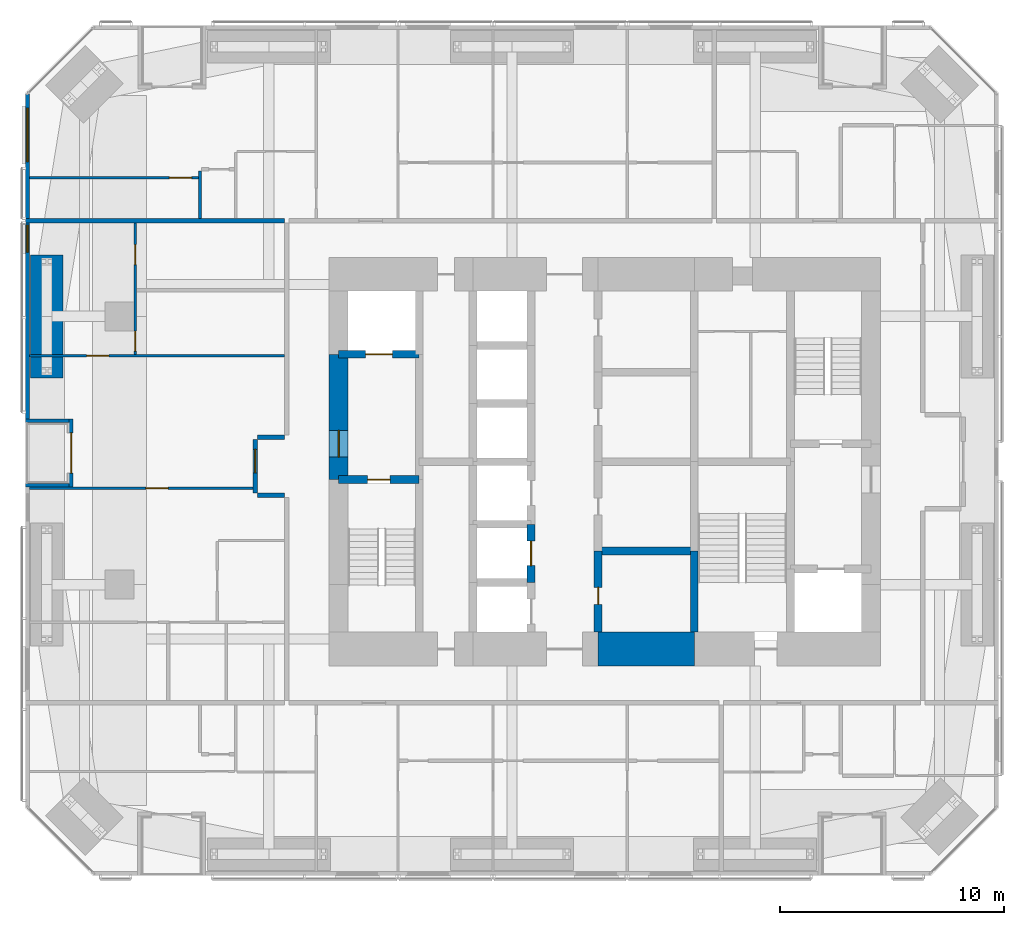
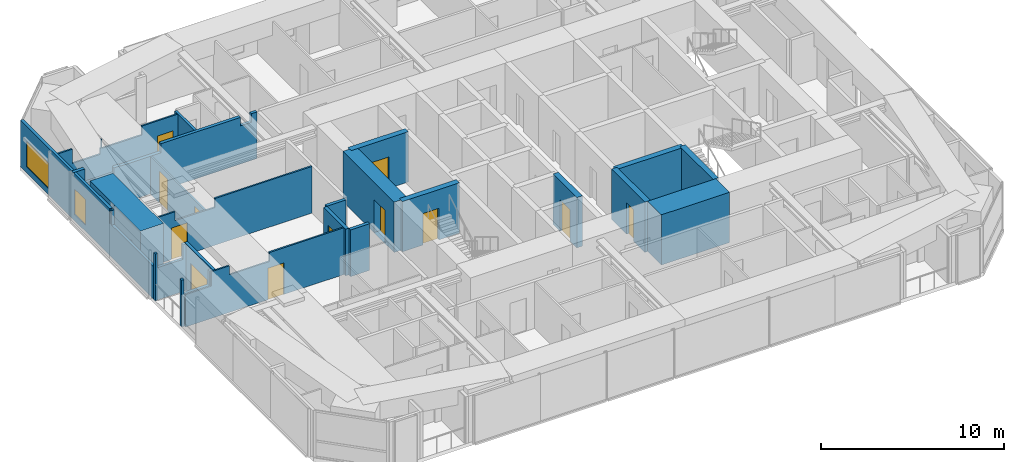
# One storey, part 18 of 23: 22 walls, 12 doors, 2 windows, 14 openings.
"""IFC4 building model written with IfcOpenShell, lengths in metres."""

from ifc_helpers import new_model, si_unit, direction, frame, frame_2d, origin, place, context, subcontext, project, spatial, polyline, rectangle, outline, extrude, material, layer, layer_set, constituent, constituent_set, type_object, element, fill, save


model = new_model("IFC4")

# Units and contexts
model_context = context("Model", 3, precision=1e-05, world=origin(), true_north=direction((0.0, 1.0)))
body_context = subcontext(model_context, "Body", "Model", "MODEL_VIEW")
ifc_project = project(units=[si_unit("LENGTHUNIT", "METRE"), si_unit("AREAUNIT", "SQUARE_METRE"), si_unit("VOLUMEUNIT", "CUBIC_METRE"), si_unit("PLANEANGLEUNIT", "RADIAN"), si_unit("MASSUNIT", "GRAM", prefix="KILO")], contexts=[model_context])

# Site, building, storey
site_placement = place(None, origin())
site = spatial("IfcSite", under=ifc_project, at=site_placement, CompositionType="ELEMENT")
building_placement = place(site_placement, origin())
building = spatial("IfcBuilding", under=site, at=building_placement, Name="Jalousie Tower", CompositionType="ELEMENT")
storey_placement = place(building_placement, frame((0.0, 0.0, 121.60009765625)))
storey = spatial("IfcBuildingStorey", under=building, at=storey_placement, Name="L33", CompositionType="ELEMENT", Elevation=121.60009765625)

# Walls
ifc_material_1 = material(Name="Concrete block ASTM C90", Category="concrete")
ifc_constituent_1 = constituent(ifc_material_1, Name="Body")
ifc_material_2 = material(Name="Render")
ifc_constituent_2 = constituent(ifc_material_2, Name="Finish")
ifc_constituent_set_1 = constituent_set(constituents=[ifc_constituent_1, ifc_constituent_2])
wall_type_1 = type_object("IfcWallType", Name="BATHROOM WALL 150", PredefinedType="PLUMBINGWALL", material=ifc_constituent_set_1)
wall_1_placement = place(storey_placement, frame((13.800048828125, 31.5, 0.0), z_axis=(0.0, 0.0, 1.0), x_axis=(0.0, -1.0, 0.0)))
element("IfcWall", 1, at=wall_1_placement, inside=storey, type_object=wall_type_1, Name="Bathroom Wall 150 L33", PredefinedType="PLUMBINGWALL", context=body_context, shape_type="SweptSolid", body=[
    extrude(rectangle(XDim=2.125, YDim=0.14990234375, at=frame_2d((1.0625, 0.0))), origin(), (0.0, 0.0, 1.0), 3.10986328125),
])
ifc_material_3 = material(Name="Concrete f'c 120 MPa", Category="concrete")
ifc_layer_1 = layer(ifc_material_3, 1.5)
ifc_layer_set_1 = layer_set([ifc_layer_1], Name="Concrete f'c 120 MPa")
wall_type_2 = type_object("IfcWallType", Name="CORE WALL 1500", PredefinedType="SHEAR", material=ifc_layer_set_1)
wall_2_placement = place(storey_placement, frame((31.60009765625, 10.125, 0.0), z_axis=(0.0, 0.0, 1.0), x_axis=(1.0, 0.0, 0.0)))
element("IfcWall", 2, at=wall_2_placement, inside=storey, type_object=wall_type_2, Name="Core wall SC L33", PredefinedType="SHEAR", context=body_context, shape_type="SweptSolid", body=[
    extrude(rectangle(XDim=4.2998046875, YDim=1.5, at=frame_2d((2.14990234375, 0.0))), origin(), (0.0, 0.0, 1.0), 3.349853515625),
])

# Wall, opening, door
ifc_material_4 = material(Name="Concrete f'c 120 MPa", Category="concrete")
ifc_layer_2 = layer(ifc_material_4, 0.35009765625)
ifc_layer_set_2 = layer_set([ifc_layer_2], Name="Concrete f'c 120 MPa")
wall_type_3 = type_object("IfcWallType", Name="CORE WALL 350", PredefinedType="SHEAR", material=ifc_layer_set_2)
wall_3_placement = place(storey_placement, frame((28.60009765625, 13.10009765625, 0.0), z_axis=(0.0, 0.0, 1.0), x_axis=(0.0, 1.0, 0.0)))
wall_3 = element("IfcWall", 3, at=wall_3_placement, inside=storey, type_object=wall_type_3, Name="Core wall X28.6B L33", PredefinedType="SHEAR", context=body_context, shape_type="SweptSolid", body=[
    extrude(rectangle(XDim=2.599853515625, YDim=0.35009765625, at=frame_2d((1.2998046875, 0.0))), origin(), (0.0, 0.0, 1.0), 3.349853515625),
])
opening_1_placement = place(wall_3_placement, frame((0.75, 0.0, 0.0)))
opening_1 = element("IfcOpeningElement", 4, at=opening_1_placement, cuts=wall_3, Name="Opening LD1", PredefinedType="OPENING", context=body_context, shape_type="SweptSolid", body=[
    extrude(rectangle(XDim=1.10009765625, YDim=2.10009765625, at=frame_2d((0.550048828125, 1.050048828125))), frame((0.0, 0.18505859375, 0.0), z_axis=(0.0, -1.0, 0.0), x_axis=(1.0, 0.0, 0.0)), (0.0, 0.0, 1.0), 0.3701171875),
])
ifc_material_5 = material(Name="Steel lift landing door", Category="steel")
door_type_1 = type_object("IfcDoorType", Name="LIFT LANDING DOOR 1100", OperationType="SLIDING_TO_LEFT", PredefinedType="DOOR", material=ifc_material_5)
door_1_placement = place(opening_1_placement, origin())
door_1 = element("IfcDoor", 5, at=door_1_placement, inside=storey, type_object=door_type_1, Name="Lift P2 landing door", OperationType="SLIDING_TO_LEFT", OverallHeight=2.10009765625, OverallWidth=1.10009765625, PredefinedType="DOOR", context=body_context, shape_type="SweptSolid", body=[
    extrude(rectangle(XDim=1.10009765625, YDim=2.10009765625, at=frame_2d((0.550048828125, 1.050048828125))), frame((0.0, 0.02490234375, 0.0), z_axis=(0.0, -1.0, 0.0), x_axis=(1.0, 0.0, 0.0)), (0.0, 0.0, 1.0), 0.050048828125),
])
fill(opening_1, door_1)

wall_4_placement = place(storey_placement, frame((31.60009765625, 10.875, 0.0), z_axis=(0.0, 0.0, 1.0), x_axis=(0.0, 1.0, 0.0)))
wall_4 = element("IfcWall", 6, at=wall_4_placement, inside=storey, type_object=wall_type_3, Name="Core wall X31.6A L33", PredefinedType="SHEAR", context=body_context, shape_type="SweptSolid", body=[
    extrude(rectangle(XDim=3.625, YDim=0.35009765625, at=frame_2d((1.8125, 0.0))), origin(), (0.0, 0.0, 1.0), 3.349853515625),
])
opening_2_placement = place(wall_4_placement, frame((1.25, 0.0, 0.0)))
opening_2 = element("IfcOpeningElement", 7, at=opening_2_placement, cuts=wall_4, Name="Opening D16", PredefinedType="OPENING", context=body_context, shape_type="SweptSolid", body=[
    extrude(rectangle(XDim=0.75, YDim=2.10009765625, at=frame_2d((0.375, 1.050048828125))), frame((0.0, 0.18505859375, 0.0), z_axis=(0.0, -1.0, 0.0), x_axis=(1.0, 0.0, 0.0)), (0.0, 0.0, 1.0), 0.3701171875),
])
ifc_material_6 = material(Name="Steel fire door", Category="steel")
door_type_2 = type_object("IfcDoorType", Name="RISER DOOR 750", OperationType="SINGLE_SWING_LEFT", PredefinedType="DOOR", material=ifc_material_6)
door_2_placement = place(opening_2_placement, frame((0.75, 0.0, 0.0), z_axis=(0.0, 0.0, 1.0), x_axis=(-1.0, 0.0, 0.0)))
door_2 = element("IfcDoor", 8, at=door_2_placement, inside=storey, type_object=door_type_2, Name="Refuse Room door", OperationType="SINGLE_SWING_RIGHT", OverallHeight=2.10009765625, OverallWidth=0.75, PredefinedType="DOOR", context=body_context, shape_type="SweptSolid", body=[
    extrude(rectangle(XDim=0.75, YDim=2.10009765625, at=frame_2d((0.375, 1.050048828125))), frame((0.0, 0.02490234375, 0.0), z_axis=(0.0, -1.0, 0.0), x_axis=(1.0, 0.0, 0.0)), (0.0, 0.0, 1.0), 0.050048828125),
])
fill(opening_2, door_2)

# Wall
wall_5_placement = place(storey_placement, frame((35.89990234375, 10.875, 0.0), z_axis=(0.0, 0.0, 1.0), x_axis=(0.0, 1.0, 0.0)))
element("IfcWall", 9, at=wall_5_placement, inside=storey, type_object=wall_type_3, Name="Core wall X35.9A L33", PredefinedType="SHEAR", context=body_context, shape_type="SweptSolid", body=[
    extrude(rectangle(XDim=3.625, YDim=0.35009765625, at=frame_2d((1.8125, 0.0))), origin(), (0.0, 0.0, 1.0), 3.349853515625),
])

# Wall, opening, door
wall_6_placement = place(storey_placement, frame((20.0, 17.699951171875, 0.0), z_axis=(0.0, 0.0, 1.0), x_axis=(1.0, 0.0, 0.0)))
wall_6 = element("IfcWall", 10, at=wall_6_placement, inside=storey, type_object=wall_type_3, Name="Core wall Y20-17.7 L33", PredefinedType="SHEAR", context=body_context, shape_type="SweptSolid", body=[
    extrude(rectangle(XDim=3.60009765625, YDim=0.35009765625, at=frame_2d((1.800048828125, 0.0))), origin(), (0.0, 0.0, 1.0), 3.349853515625),
])
opening_3_placement = place(wall_6_placement, frame((1.300048828125, 0.0, 0.0)))
opening_3 = element("IfcOpeningElement", 11, at=opening_3_placement, cuts=wall_6, Name="Opening D10", PredefinedType="OPENING", context=body_context, shape_type="SweptSolid", body=[
    extrude(rectangle(XDim=1.0, YDim=2.10009765625, at=frame_2d((0.5, 1.050048828125))), frame((0.0, 0.18505859375, 0.0), z_axis=(0.0, -1.0, 0.0), x_axis=(1.0, 0.0, 0.0)), (0.0, 0.0, 1.0), 0.3701171875),
])
ifc_material_7 = material(Name="Steel fire door", Category="steel")
door_type_3 = type_object("IfcDoorType", Name="STAIR DOOR 1000", OperationType="SINGLE_SWING_LEFT", PredefinedType="DOOR", material=ifc_material_7)
door_3_placement = place(opening_3_placement, frame((1.0, 0.0, 0.0), z_axis=(0.0, 0.0, 1.0), x_axis=(-1.0, 0.0, 0.0)))
door_3 = element("IfcDoor", 12, at=door_3_placement, inside=storey, type_object=door_type_3, Name="Exit stair A door", OperationType="SINGLE_SWING_RIGHT", OverallHeight=2.10009765625, OverallWidth=1.0, PredefinedType="DOOR", context=body_context, shape_type="SweptSolid", body=[
    extrude(rectangle(XDim=1.0, YDim=2.10009765625, at=frame_2d((0.5, 1.050048828125))), frame((0.0, 0.02490234375, 0.0), z_axis=(0.0, -1.0, 0.0), x_axis=(1.0, 0.0, 0.0)), (0.0, 0.0, 1.0), 0.050048828125),
])
fill(opening_3, door_3)

wall_7_placement = place(storey_placement, frame((20.0, 23.300048828125, 0.0), z_axis=(0.0, 0.0, 1.0), x_axis=(1.0, 0.0, 0.0)))
wall_7 = element("IfcWall", 13, at=wall_7_placement, inside=storey, type_object=wall_type_3, Name="Core wall Y20-23.3 L33", PredefinedType="SHEAR", context=body_context, shape_type="SweptSolid", body=[
    extrude(rectangle(XDim=3.60009765625, YDim=0.35009765625, at=frame_2d((1.800048828125, 0.0))), origin(), (0.0, 0.0, 1.0), 3.349853515625),
])
opening_4_placement = place(wall_7_placement, frame((1.199951171875, 0.0, 0.0)))
opening_4 = element("IfcOpeningElement", 14, at=opening_4_placement, cuts=wall_7, Name="Opening LD2", PredefinedType="OPENING", context=body_context, shape_type="SweptSolid", body=[
    extrude(rectangle(XDim=1.199951171875, YDim=2.10009765625, at=frame_2d((0.60009765625, 1.050048828125))), frame((0.0, 0.18505859375, 0.0), z_axis=(0.0, -1.0, 0.0), x_axis=(1.0, 0.0, 0.0)), (0.0, 0.0, 1.0), 0.3701171875),
])
ifc_material_8 = material(Name="Steel lift landing door", Category="steel")
door_type_4 = type_object("IfcDoorType", Name="LIFT LANDING DOOR 1200", OperationType="SLIDING_TO_LEFT", PredefinedType="DOOR", material=ifc_material_8)
door_4_placement = place(opening_4_placement, origin())
door_4 = element("IfcDoor", 15, at=door_4_placement, inside=storey, type_object=door_type_4, Name="Lift F1 landing door", OperationType="SLIDING_TO_LEFT", OverallHeight=2.10009765625, OverallWidth=1.199951171875, PredefinedType="DOOR", context=body_context, shape_type="SweptSolid", body=[
    extrude(rectangle(XDim=1.199951171875, YDim=2.10009765625, at=frame_2d((0.60009765625, 1.050048828125))), frame((0.0, 0.02490234375, 0.0), z_axis=(0.0, -1.0, 0.0), x_axis=(1.0, 0.0, 0.0)), (0.0, 0.0, 1.0), 0.050048828125),
])
fill(opening_4, door_4)

# Wall
wall_8_placement = place(storey_placement, frame((31.60009765625, 14.5, 0.0), z_axis=(0.0, 0.0, 1.0), x_axis=(1.0, 0.0, 0.0)))
element("IfcWall", 16, at=wall_8_placement, inside=storey, type_object=wall_type_3, Name="Core wall Y31.6-14.5 L33", PredefinedType="SHEAR", context=body_context, shape_type="SweptSolid", body=[
    extrude(rectangle(XDim=4.2998046875, YDim=0.35009765625, at=frame_2d((2.14990234375, 0.0))), origin(), (0.0, 0.0, 1.0), 3.349853515625),
])

# Wall, opening, door
ifc_material_9 = material(Name="Concrete f'c 120 MPa", Category="concrete")
ifc_layer_3 = layer(ifc_material_9, 0.85009765625)
ifc_layer_set_3 = layer_set([ifc_layer_3], Name="Concrete f'c 120 MPa")
wall_type_4 = type_object("IfcWallType", Name="CORE WALL 850", PredefinedType="SHEAR", material=ifc_layer_set_3)
wall_9_placement = place(storey_placement, frame((20.0, 23.300048828125, 0.0), z_axis=(0.0, 0.0, 1.0), x_axis=(0.0, -1.0, 0.0)))
wall_9 = element("IfcWall", 17, at=wall_9_placement, inside=storey, type_object=wall_type_4, Name="Core wall WB L33", PredefinedType="SHEAR", context=body_context, shape_type="SweptSolid", body=[
    extrude(rectangle(XDim=5.60009765625, YDim=0.85009765625, at=frame_2d((2.800048828125, 0.0))), origin(), (0.0, 0.0, 1.0), 3.349853515625),
])
opening_5_placement = place(wall_9_placement, frame((3.39990234375, 0.0, 0.0)))
opening_5 = element("IfcOpeningElement", 18, at=opening_5_placement, cuts=wall_9, Name="Opening D11", PredefinedType="OPENING", context=body_context, shape_type="SweptSolid", body=[
    extrude(rectangle(XDim=1.199951171875, YDim=2.199951171875, at=frame_2d((0.60009765625, 1.10009765625))), frame((0.0, 0.43505859375, 0.0), z_axis=(0.0, -1.0, 0.0), x_axis=(1.0, 0.0, 0.0)), (0.0, 0.0, 1.0), 0.8701171875),
])
ifc_material_10 = material(Name="Steel fire door", Category="steel")
door_type_5 = type_object("IfcDoorType", Name="FIRE DOOR 1200", OperationType="SINGLE_SWING_LEFT", PredefinedType="DOOR", material=ifc_material_10)
door_5_placement = place(opening_5_placement, origin())
door_5 = element("IfcDoor", 19, at=door_5_placement, inside=storey, type_object=door_type_5, Name="Fire-fighting lobby A door", OperationType="SINGLE_SWING_RIGHT", OverallHeight=2.199951171875, OverallWidth=1.199951171875, PredefinedType="DOOR", context=body_context, shape_type="SweptSolid", body=[
    extrude(rectangle(XDim=1.199951171875, YDim=2.199951171875, at=frame_2d((0.60009765625, 1.10009765625))), frame((0.0, 0.02490234375, 0.0), z_axis=(0.0, -1.0, 0.0), x_axis=(1.0, 0.0, 0.0)), (0.0, 0.0, 1.0), 0.050048828125),
])
fill(opening_5, door_5)

ifc_material_11 = material(Name="Concrete block ASTM C90", Category="concrete")
ifc_constituent_3 = constituent(ifc_material_11, Name="Body")
ifc_material_12 = material(Name="Render")
ifc_constituent_4 = constituent(ifc_material_12, Name="Finish")
ifc_constituent_set_2 = constituent_set(constituents=[ifc_constituent_3, ifc_constituent_4])
wall_type_5 = type_object("IfcWallType", Name="CORRIDOR WALL 200", PredefinedType="PARTITIONING", material=ifc_constituent_set_2)
wall_10_placement = place(storey_placement, frame((16.27490234375, 17.10009765625, 0.0), z_axis=(0.0, 0.0, 1.0), x_axis=(0.0, 1.0, 0.0)))
wall_10 = element("IfcWall", 20, at=wall_10_placement, inside=storey, type_object=wall_type_5, Name="Corridor Wall 200 L33", PredefinedType="PARTITIONING", context=body_context, shape_type="SweptSolid", body=[
    extrude(rectangle(XDim=2.39990234375, YDim=0.199951171875, at=frame_2d((1.199951171875, 0.0))), origin(), (0.0, 0.0, 1.0), 3.10986328125),
])
opening_6_placement = place(wall_10_placement, frame((0.89990234375, 0.0, 0.0)))
opening_6 = element("IfcOpeningElement", 21, at=opening_6_placement, cuts=wall_10, Name="Opening D1", PredefinedType="OPENING", context=body_context, shape_type="SweptSolid", body=[
    extrude(rectangle(XDim=1.050048828125, YDim=2.199951171875, at=frame_2d((0.52490234375, 1.10009765625))), frame((0.0, 0.10986328125, 0.0), z_axis=(0.0, -1.0, 0.0), x_axis=(1.0, 0.0, 0.0)), (0.0, 0.0, 1.0), 0.219970703125),
])
ifc_material_13 = material(Name="Timber fire door", Category="wood")
door_type_6 = type_object("IfcDoorType", Name="APARTMENT ENTRANCE DOOR 1050", OperationType="SINGLE_SWING_LEFT", PredefinedType="DOOR", material=ifc_material_13)
door_6_placement = place(opening_6_placement, origin())
door_6 = element("IfcDoor", 22, at=door_6_placement, inside=storey, type_object=door_type_6, Name="Apartment 3305 entrance", OperationType="SINGLE_SWING_LEFT", OverallHeight=2.199951171875, OverallWidth=1.050048828125, PredefinedType="DOOR", context=body_context, shape_type="SweptSolid", body=[
    extrude(rectangle(XDim=1.050048828125, YDim=2.199951171875, at=frame_2d((0.52490234375, 1.10009765625))), frame((0.0, 0.02490234375, 0.0), z_axis=(0.0, -1.0, 0.0), x_axis=(1.0, 0.0, 0.0)), (0.0, 0.0, 1.0), 0.050048828125),
])
fill(opening_6, door_6)

# Walls
for number, where, z_axis, x_axis, name in (
    (23, (17.574951171875, 17.0, 0.0), (0.0, 0.0, 1.0), (-1.0, 0.0, 0.0), "Corridor Wall 200 L33"),
    (24, (17.574951171875, 19.60009765625, 0.0), (0.0, 0.0, 1.0), (-1.0, 0.0, 0.0), "Corridor Wall 200 L33"),
):
    element("IfcWall", number, at=place(storey_placement, frame(where, z_axis=z_axis, x_axis=x_axis)), inside=storey, type_object=wall_type_5, Name=name, PredefinedType="PARTITIONING", context=body_context, shape_type="SweptSolid", body=[
        extrude(rectangle(XDim=1.199951171875, YDim=0.199951171875, at=frame_2d((0.60009765625, 0.0))), origin(), (0.0, 0.0, 1.0), 3.10986328125),
    ])

# Wall, openings, windows
ifc_material_14 = material(Name="Concrete f'c 40 MPa", Category="concrete")
ifc_constituent_5 = constituent(ifc_material_14, Name="Body")
ifc_material_15 = material(Name="Render, pastel sea green")
ifc_constituent_6 = constituent(ifc_material_15, Name="Finish")
ifc_constituent_set_3 = constituent_set(constituents=[ifc_constituent_5, ifc_constituent_6])
wall_type_6 = type_object("IfcWallType", Name="EXTERNAL WALL 175 SEA GREEN RENDER", PredefinedType="SOLIDWALL", material=ifc_constituent_set_3)
wall_11_placement = place(storey_placement, frame((6.08740234375, 34.94873046875, 0.0), z_axis=(0.0, 0.0, 1.0), x_axis=(0.0, -1.0, 0.0)))
wall_11 = element("IfcWall", 25, at=wall_11_placement, inside=storey, type_object=wall_type_6, Name="External Wall 175 Sea Green Render L33", PredefinedType="SOLIDWALL", context=body_context, shape_type="SweptSolid", body=[
    extrude(outline(polyline([(0.0, 0.0), (14.531982421875, 0.0), (14.531982421875, 2.14990234375), (9.94873046875, 2.14990234375), (9.94873046875, 3.10986328125), (9.822998046875, 3.10986328125), (9.822998046875, 2.14990234375), (9.72998046875, 2.14990234375), (9.72998046875, 3.10986328125), (0.0, 3.10986328125), (0.0, 0.0)])), frame((0.0, 0.08740234375, 0.0), z_axis=(0.0, -1.0, 0.0), x_axis=(1.0, 0.0, 0.0)), (0.0, 0.0, 1.0), 0.175048828125),
])
opening_7_placement = place(wall_11_placement, frame((0.636474609375, 0.0, 0.39990234375)))
opening_7 = element("IfcOpeningElement", 26, at=opening_7_placement, cuts=wall_11, Name="Opening W-LIV170", PredefinedType="OPENING", context=body_context, shape_type="SweptSolid", body=[
    extrude(rectangle(XDim=2.39990234375, YDim=1.699951171875, at=frame_2d((1.199951171875, 0.85009765625))), frame((0.0, 0.097412109375, 0.0), z_axis=(0.0, -1.0, 0.0), x_axis=(1.0, 0.0, 0.0)), (0.0, 0.0, 1.0), 0.195068359375),
])
opening_8_placement = place(wall_11_placement, frame((5.873779296875, 0.0, 0.39990234375)))
opening_8 = element("IfcOpeningElement", 27, at=opening_8_placement, cuts=wall_11, Name="Opening W-COR170", PredefinedType="OPENING", context=body_context, shape_type="SweptSolid", body=[
    extrude(rectangle(XDim=1.199951171875, YDim=1.699951171875, at=frame_2d((0.60009765625, 0.85009765625))), frame((0.0, 0.097412109375, 0.0), z_axis=(0.0, -1.0, 0.0), x_axis=(1.0, 0.0, 0.0)), (0.0, 0.0, 1.0), 0.195068359375),
])
ifc_material_16 = material(Name="Aluminium frame, impact-rated glazing", Category="aluminium")
window_type_1 = type_object("IfcWindowType", Name="WINDOW COR 1200x1700", PartitioningType="SINGLE_PANEL", PredefinedType="WINDOW", material=ifc_material_16)
window_1_placement = place(opening_8_placement, origin())
window_1 = element("IfcWindow", 28, at=window_1_placement, inside=storey, type_object=window_type_1, Name="Apartment 3305 bedroom 2 window", OverallHeight=1.699951171875, OverallWidth=1.199951171875, PartitioningType="SINGLE_PANEL", PredefinedType="WINDOW", context=body_context, shape_type="SweptSolid", body=[
    extrude(rectangle(XDim=1.199951171875, YDim=1.699951171875, at=frame_2d((0.60009765625, 0.85009765625))), frame((0.0, 0.030029296875, 0.0), z_axis=(0.0, -1.0, 0.0), x_axis=(1.0, 0.0, 0.0)), (0.0, 0.0, 1.0), 0.06005859375),
])
fill(opening_8, window_1)
ifc_material_17 = material(Name="Aluminium frame, impact-rated glazing", Category="aluminium")
window_type_2 = type_object("IfcWindowType", Name="WINDOW LIV 2400x1700", PartitioningType="DOUBLE_PANEL_VERTICAL", PredefinedType="WINDOW", material=ifc_material_17)
window_2_placement = place(opening_7_placement, origin())
window_2 = element("IfcWindow", 29, at=window_2_placement, inside=storey, type_object=window_type_2, Name="Apartment 3303 living and dining room window", OverallHeight=1.699951171875, OverallWidth=2.39990234375, PartitioningType="SINGLE_PANEL", PredefinedType="WINDOW", context=body_context, shape_type="SweptSolid", body=[
    extrude(rectangle(XDim=2.39990234375, YDim=1.699951171875, at=frame_2d((1.199951171875, 0.85009765625))), frame((0.0, 0.030029296875, 0.0), z_axis=(0.0, -1.0, 0.0), x_axis=(1.0, 0.0, 0.0)), (0.0, 0.0, 1.0), 0.06005859375),
])
fill(opening_7, window_2)

# Wall, opening, door
wall_12_placement = place(storey_placement, frame((8.03759765625, 20.416748046875, 0.0), z_axis=(0.0, 0.0, 1.0), x_axis=(0.0, -1.0, 0.0)))
wall_12 = element("IfcWall", 30, at=wall_12_placement, inside=storey, type_object=wall_type_6, Name="External Wall 175 Sea Green Render L33", PredefinedType="SOLIDWALL", context=body_context, shape_type="SweptSolid", body=[
    extrude(rectangle(XDim=3.058349609375, YDim=0.175048828125, at=frame_2d((1.529296875, 0.0))), origin(), (0.0, 0.0, 1.0), 3.10986328125),
])
opening_9_placement = place(wall_12_placement, frame((0.629150390625, 0.0, 0.0)))
opening_9 = element("IfcOpeningElement", 31, at=opening_9_placement, cuts=wall_12, Name="Opening D-BAL21", PredefinedType="OPENING", context=body_context, shape_type="SweptSolid", body=[
    extrude(rectangle(XDim=1.800048828125, YDim=2.10009765625, at=frame_2d((0.89990234375, 1.050048828125))), frame((0.0, 0.097412109375, 0.0), z_axis=(0.0, -1.0, 0.0), x_axis=(1.0, 0.0, 0.0)), (0.0, 0.0, 1.0), 0.195068359375),
])
ifc_material_18 = material(Name="Aluminium frame, impact-rated glazing", Category="aluminium")
door_type_7 = type_object("IfcDoorType", Name="BALCONY DOOR 1800x2100", OperationType="SLIDING_TO_LEFT", PredefinedType="DOOR", material=ifc_material_18)
door_7_placement = place(opening_9_placement, origin())
door_7 = element("IfcDoor", 32, at=door_7_placement, inside=storey, type_object=door_type_7, Name="Apartment 3305 living room loggia door", OperationType="SLIDING_TO_LEFT", OverallHeight=2.10009765625, OverallWidth=1.800048828125, PredefinedType="DOOR", context=body_context, shape_type="SweptSolid", body=[
    extrude(rectangle(XDim=1.800048828125, YDim=2.10009765625, at=frame_2d((0.89990234375, 1.050048828125))), frame((0.0, 0.02490234375, 0.0), z_axis=(0.0, -1.0, 0.0), x_axis=(1.0, 0.0, 0.0)), (0.0, 0.0, 1.0), 0.050048828125),
])
fill(opening_9, door_7)

# Walls
for number, where, z_axis, x_axis, name in (
    (33, (6.0, 20.3291015625, 0.0), (0.0, 0.0, 1.0), (1.0, 0.0, 0.0), "External Wall 175 Sea Green Render L33"),
    (34, (6.0, 17.44580078125, 0.0), (0.0, 0.0, 1.0), (1.0, 0.0, 0.0), "External Wall 175 Sea Green Render L33"),
):
    element("IfcWall", number, at=place(storey_placement, frame(where, z_axis=z_axis, x_axis=x_axis)), inside=storey, type_object=wall_type_6, Name=name, PredefinedType="SOLIDWALL", context=body_context, shape_type="SweptSolid", body=[
        extrude(outline(polyline([(0.0, 0.0), (1.949951171875, 0.0), (1.949951171875, 3.10986328125), (1.75, 3.10986328125), (1.75, 2.14990234375), (0.14990234375, 2.14990234375), (0.14990234375, 3.10986328125), (0.0, 3.10986328125), (0.0, 0.0)])), frame((0.0, 0.08740234375, 0.0), z_axis=(0.0, -1.0, 0.0), x_axis=(1.0, 0.0, 0.0)), (0.0, 0.0, 1.0), 0.175048828125),
    ])

# Wall, opening, door
ifc_material_19 = material(Name="Gypsum board", Category="gypsum")
ifc_constituent_7 = constituent(ifc_material_19, Name="Body")
ifc_material_20 = material(Name="Light-gauge steel studs ASTM A653 SS Grade 33", Category="steel")
ifc_constituent_8 = constituent(ifc_material_20, Name="Framing")
ifc_constituent_set_4 = constituent_set(constituents=[ifc_constituent_7, ifc_constituent_8])
wall_type_7 = type_object("IfcWallType", Name="PARTITION 100", PredefinedType="PARTITIONING", material=ifc_constituent_set_4)
wall_13_placement = place(storey_placement, frame((6.175048828125, 31.199951171875, 0.0), z_axis=(0.0, 0.0, 1.0), x_axis=(1.0, 0.0, 0.0)))
wall_13 = element("IfcWall", 35, at=wall_13_placement, inside=storey, type_object=wall_type_7, Name="Partition 100 L33", PredefinedType="PARTITIONING", context=body_context, shape_type="SweptSolid", body=[
    extrude(outline(polyline([(0.0, 0.0), (7.550048828125, 0.0), (7.550048828125, 3.10986328125), (5.284912109375, 3.10986328125), (5.284912109375, 2.510009765625), (2.764892578125, 2.510009765625), (2.764892578125, 3.10986328125), (2.74365234375, 3.10986328125), (2.74365234375, 2.541015625), (2.651611328125, 2.541015625), (2.651611328125, 2.14990234375), (0.9091796875, 2.14990234375), (0.9091796875, 3.10986328125), (0.0, 3.10986328125), (0.0, 0.0)])), frame((0.0, 0.050048828125, 0.0), z_axis=(0.0, -1.0, 0.0), x_axis=(1.0, 0.0, 0.0)), (0.0, 0.0, 1.0), 0.10009765625),
])
opening_10_placement = place(wall_13_placement, frame((6.25, 0.0, 0.0)))
opening_10 = element("IfcOpeningElement", 36, at=opening_10_placement, cuts=wall_13, Name="Opening D6", PredefinedType="OPENING", context=body_context, shape_type="SweptSolid", body=[
    extrude(rectangle(XDim=1.0, YDim=2.10009765625, at=frame_2d((0.5, 1.050048828125))), frame((0.0, 0.06005859375, 0.0), z_axis=(0.0, -1.0, 0.0), x_axis=(1.0, 0.0, 0.0)), (0.0, 0.0, 1.0), 0.1201171875),
])
ifc_material_21 = material(Name="Timber door", Category="wood")
door_type_8 = type_object("IfcDoorType", Name="INTERNAL DOOR 1000", OperationType="SINGLE_SWING_LEFT", PredefinedType="DOOR", material=ifc_material_21)
door_8_placement = place(opening_10_placement, origin())
door_8 = element("IfcDoor", 37, at=door_8_placement, inside=storey, type_object=door_type_8, Name="Apartment 3303 hall door", OperationType="SINGLE_SWING_RIGHT", OverallHeight=2.10009765625, OverallWidth=1.0, PredefinedType="DOOR", context=body_context, shape_type="SweptSolid", body=[
    extrude(rectangle(XDim=1.0, YDim=2.10009765625, at=frame_2d((0.5, 1.050048828125))), frame((0.0, 0.02490234375, 0.0), z_axis=(0.0, -1.0, 0.0), x_axis=(1.0, 0.0, 0.0)), (0.0, 0.0, 1.0), 0.050048828125),
])
fill(opening_10, door_8)

wall_14_placement = place(storey_placement, frame((6.175048828125, 17.308349609375, 0.0), z_axis=(0.0, 0.0, 1.0), x_axis=(1.0, 0.0, 0.0)))
wall_14 = element("IfcWall", 38, at=wall_14_placement, inside=storey, type_object=wall_type_7, Name="Partition 100 L33", PredefinedType="PARTITIONING", context=body_context, shape_type="SweptSolid", body=[
    extrude(outline(polyline([(0.0, 0.0), (10.0, 0.0), (10.0, 3.10986328125), (5.284912109375, 3.10986328125), (5.284912109375, 2.510009765625), (2.764892578125, 2.510009765625), (2.764892578125, 3.10986328125), (1.635009765625, 3.10986328125), (1.635009765625, 2.14990234375), (0.0, 2.14990234375), (0.0, 3.10986328125), (0.0, 0.0)])), frame((0.0, 0.050048828125, 0.0), z_axis=(0.0, -1.0, 0.0), x_axis=(1.0, 0.0, 0.0)), (0.0, 0.0, 1.0), 0.10009765625),
])
opening_11_placement = place(wall_14_placement, frame((5.199951171875, 0.0, 0.0)))
opening_11 = element("IfcOpeningElement", 39, at=opening_11_placement, cuts=wall_14, Name="Opening D6", PredefinedType="OPENING", context=body_context, shape_type="SweptSolid", body=[
    extrude(rectangle(XDim=1.0, YDim=2.10009765625, at=frame_2d((0.5, 1.050048828125))), frame((0.0, 0.06005859375, 0.0), z_axis=(0.0, -1.0, 0.0), x_axis=(1.0, 0.0, 0.0)), (0.0, 0.0, 1.0), 0.1201171875),
])
door_9_placement = place(opening_11_placement, frame((1.0, 0.0, 0.0), z_axis=(0.0, 0.0, 1.0), x_axis=(-1.0, 0.0, 0.0)))
door_9 = element("IfcDoor", 40, at=door_9_placement, inside=storey, type_object=door_type_8, Name="Apartment 3305 dining room door", OperationType="SINGLE_SWING_LEFT", OverallHeight=2.10009765625, OverallWidth=1.0, PredefinedType="DOOR", context=body_context, shape_type="SweptSolid", body=[
    extrude(rectangle(XDim=1.0, YDim=2.10009765625, at=frame_2d((0.5, 1.050048828125))), frame((0.0, 0.02490234375, 0.0), z_axis=(0.0, -1.0, 0.0), x_axis=(1.0, 0.0, 0.0)), (0.0, 0.0, 1.0), 0.050048828125),
])
fill(opening_11, door_9)

wall_15_placement = place(storey_placement, frame((6.175048828125, 23.24169921875, 0.0), z_axis=(0.0, 0.0, 1.0), x_axis=(1.0, 0.0, 0.0)))
wall_15 = element("IfcWall", 41, at=wall_15_placement, inside=storey, type_object=wall_type_7, Name="Partition 100 L33", PredefinedType="PARTITIONING", context=body_context, shape_type="SweptSolid", body=[
    extrude(outline(polyline([(0.52880859375, 2.14990234375), (0.0, 2.14990234375), (0.0, 0.0), (0.52880859375, 0.0), (0.52880859375, 0.267822265625), (1.021240234375, 0.267822265625), (1.021240234375, 0.0), (11.39990234375, 0.0), (11.39990234375, 3.10986328125), (5.284912109375, 3.10986328125), (5.284912109375, 2.510009765625), (2.764892578125, 2.510009765625), (2.764892578125, 3.10986328125), (1.635009765625, 3.10986328125), (1.635009765625, 2.14990234375), (1.021240234375, 2.14990234375), (1.021240234375, 1.882080078125), (0.52880859375, 1.882080078125), (0.52880859375, 2.14990234375)])), frame((0.0, 0.050048828125, 0.0), z_axis=(0.0, -1.0, 0.0), x_axis=(1.0, 0.0, 0.0)), (0.0, 0.0, 1.0), 0.10009765625),
])
opening_12_placement = place(wall_15_placement, frame((2.550048828125, 0.0, 0.0)))
opening_12 = element("IfcOpeningElement", 42, at=opening_12_placement, cuts=wall_15, Name="Opening D6", PredefinedType="OPENING", context=body_context, shape_type="SweptSolid", body=[
    extrude(rectangle(XDim=1.0, YDim=2.10009765625, at=frame_2d((0.5, 1.050048828125))), frame((0.0, 0.06005859375, 0.0), z_axis=(0.0, -1.0, 0.0), x_axis=(1.0, 0.0, 0.0)), (0.0, 0.0, 1.0), 0.1201171875),
])
door_10_placement = place(opening_12_placement, origin())
door_10 = element("IfcDoor", 43, at=door_10_placement, inside=storey, type_object=door_type_8, Name="Apartment 3305 bedroom 2 door", OperationType="SINGLE_SWING_LEFT", OverallHeight=2.10009765625, OverallWidth=1.0, PredefinedType="DOOR", context=body_context, shape_type="SweptSolid", body=[
    extrude(rectangle(XDim=1.0, YDim=2.10009765625, at=frame_2d((0.5, 1.050048828125))), frame((0.0, 0.02490234375, 0.0), z_axis=(0.0, -1.0, 0.0), x_axis=(1.0, 0.0, 0.0)), (0.0, 0.0, 1.0), 0.050048828125),
])
fill(opening_12, door_10)

# Wall, openings, doors
wall_16_placement = place(storey_placement, frame((10.89990234375, 23.291748046875, 0.0), z_axis=(0.0, 0.0, 1.0), x_axis=(0.0, 1.0, 0.0)))
wall_16 = element("IfcWall", 44, at=wall_16_placement, inside=storey, type_object=wall_type_7, Name="Partition 100 L33", PredefinedType="PARTITIONING", context=body_context, shape_type="SweptSolid", body=[
    extrude(outline(polyline([(0.0, 0.0), (5.88330078125, 0.0), (5.88330078125, 3.10986328125), (5.88330078125, 2.510009765625), (1.768310546875, 2.510009765625), (0.0, 2.510009765625), (0.0, 3.10986328125), (0.0, 0.0)])), frame((0.0, 0.050048828125, 0.0), z_axis=(0.0, -1.0, 0.0), x_axis=(1.0, 0.0, 0.0)), (0.0, 0.0, 1.0), 0.10009765625),
])
opening_13_placement = place(wall_16_placement, frame((0.14990234375, 0.0, 0.0)))
opening_13 = element("IfcOpeningElement", 45, at=opening_13_placement, cuts=wall_16, Name="Opening D7", PredefinedType="OPENING", context=body_context, shape_type="SweptSolid", body=[
    extrude(rectangle(XDim=0.89990234375, YDim=2.10009765625, at=frame_2d((0.449951171875, 1.050048828125))), frame((0.0, 0.06005859375, 0.0), z_axis=(0.0, -1.0, 0.0), x_axis=(1.0, 0.0, 0.0)), (0.0, 0.0, 1.0), 0.1201171875),
])
opening_14_placement = place(wall_16_placement, frame((4.0166015625, 0.0, 0.0)))
opening_14 = element("IfcOpeningElement", 46, at=opening_14_placement, cuts=wall_16, Name="Opening D7", PredefinedType="OPENING", context=body_context, shape_type="SweptSolid", body=[
    extrude(rectangle(XDim=0.89990234375, YDim=2.10009765625, at=frame_2d((0.449951171875, 1.050048828125))), frame((0.0, 0.06005859375, 0.0), z_axis=(0.0, -1.0, 0.0), x_axis=(1.0, 0.0, 0.0)), (0.0, 0.0, 1.0), 0.1201171875),
])
ifc_material_22 = material(Name="Timber door", Category="wood")
door_type_9 = type_object("IfcDoorType", Name="INTERNAL DOOR 900", OperationType="SINGLE_SWING_LEFT", PredefinedType="DOOR", material=ifc_material_22)
door_11_placement = place(opening_13_placement, frame((0.89990234375, 0.0, 0.0), z_axis=(0.0, 0.0, 1.0), x_axis=(-1.0, 0.0, 0.0)))
door_11 = element("IfcDoor", 47, at=door_11_placement, inside=storey, type_object=door_type_9, Name="Apartment 3305 bedroom 2 bathroom door", OperationType="SINGLE_SWING_RIGHT", OverallHeight=2.10009765625, OverallWidth=0.89990234375, PredefinedType="DOOR", context=body_context, shape_type="SweptSolid", body=[
    extrude(rectangle(XDim=0.89990234375, YDim=2.10009765625, at=frame_2d((0.449951171875, 1.050048828125))), frame((0.0, 0.02490234375, 0.0), z_axis=(0.0, -1.0, 0.0), x_axis=(1.0, 0.0, 0.0)), (0.0, 0.0, 1.0), 0.050048828125),
])
fill(opening_13, door_11)
door_12_placement = place(opening_14_placement, frame((0.89990234375, 0.0, 0.0), z_axis=(0.0, 0.0, 1.0), x_axis=(-1.0, 0.0, 0.0)))
door_12 = element("IfcDoor", 48, at=door_12_placement, inside=storey, type_object=door_type_9, Name="Apartment 3305 bedroom 2 dressing room door", OperationType="SINGLE_SWING_LEFT", OverallHeight=2.10009765625, OverallWidth=0.89990234375, PredefinedType="DOOR", context=body_context, shape_type="SweptSolid", body=[
    extrude(rectangle(XDim=0.89990234375, YDim=2.10009765625, at=frame_2d((0.449951171875, 1.050048828125))), frame((0.0, 0.02490234375, 0.0), z_axis=(0.0, -1.0, 0.0), x_axis=(1.0, 0.0, 0.0)), (0.0, 0.0, 1.0), 0.050048828125),
])
fill(opening_14, door_12)

# Walls
ifc_material_23 = material(Name="Concrete block ASTM C90", Category="concrete")
ifc_constituent_9 = constituent(ifc_material_23, Name="Body")
ifc_material_24 = material(Name="Render")
ifc_constituent_10 = constituent(ifc_material_24, Name="Finish")
ifc_constituent_set_5 = constituent_set(constituents=[ifc_constituent_9, ifc_constituent_10])
wall_type_8 = type_object("IfcWallType", Name="PARTY WALL 200", PredefinedType="PARTITIONING", material=ifc_constituent_set_5)
wall_17_placement = place(storey_placement, frame((6.0, 29.27490234375, 0.0), z_axis=(0.0, 0.0, 1.0), x_axis=(1.0, 0.0, 0.0)))
element("IfcWall", 49, at=wall_17_placement, inside=storey, type_object=wall_type_8, Name="Party Wall 200 L33", PredefinedType="PARTITIONING", context=body_context, shape_type="SweptSolid", body=[
    extrude(outline(polyline([(0.0, 0.0), (11.574951171875, 0.0), (11.574951171875, 3.10986328125), (11.21240234375, 3.10986328125), (11.21240234375, 2.541015625), (10.53759765625, 2.541015625), (10.53759765625, 3.10986328125), (5.510009765625, 3.10986328125), (5.510009765625, 2.510009765625), (2.96875, 2.510009765625), (2.96875, 2.541015625), (2.565185546875, 2.541015625), (2.565185546875, 2.14990234375), (0.721435546875, 2.14990234375), (0.721435546875, 3.10986328125), (0.0, 3.10986328125), (0.0, 0.0)])), frame((0.0, 0.10009765625, 0.0), z_axis=(0.0, -1.0, 0.0), x_axis=(1.0, 0.0, 0.0)), (0.0, 0.0, 1.0), 0.199951171875),
])
ifc_material_25 = material(Name="Concrete f'c 120 MPa", Category="concrete")
ifc_layer_4 = layer(ifc_material_25, 1.449951171875)
ifc_layer_set_4 = layer_set([ifc_layer_4], Name="Concrete f'c 120 MPa")
wall_type_9 = type_object("IfcWallType", Name="RC WALL PIER 1450", PredefinedType="SHEAR", material=ifc_layer_set_4)
wall_18_placement = place(storey_placement, frame((6.949951171875, 22.25, 0.0), z_axis=(0.0, 0.0, 1.0), x_axis=(0.0, 1.0, 0.0)))
element("IfcWall", 50, at=wall_18_placement, inside=storey, type_object=wall_type_9, Name="Wall pier 13 L33", PredefinedType="SHEAR", context=body_context, shape_type="SweptSolid", body=[
    extrude(rectangle(XDim=5.5, YDim=1.449951171875, at=frame_2d((2.75, 0.0))), origin(), (0.0, 0.0, 1.0), 3.349853515625),
])

save(model, "model.ifc")
